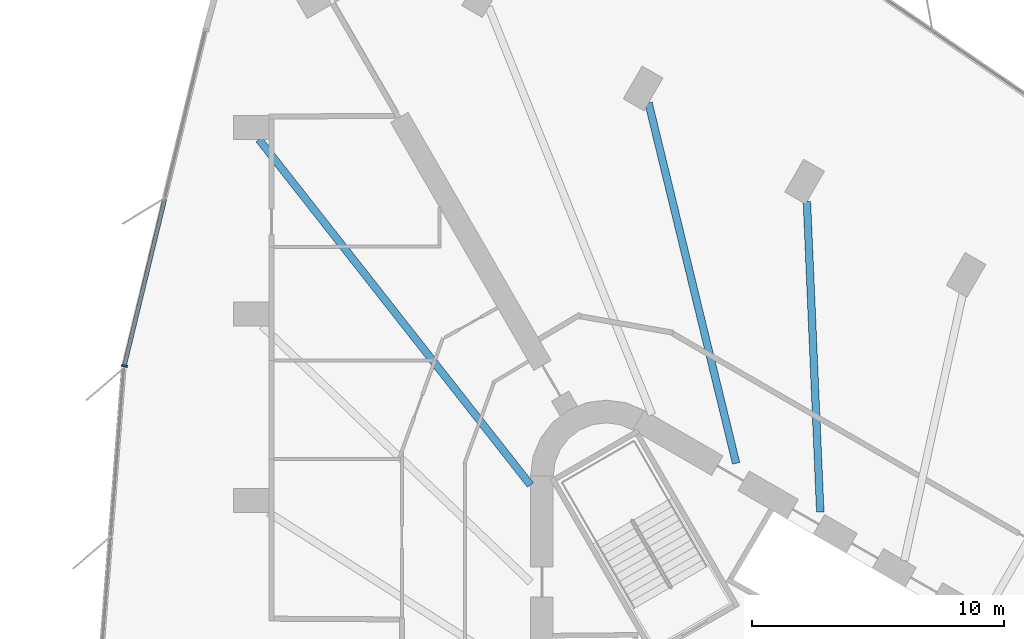
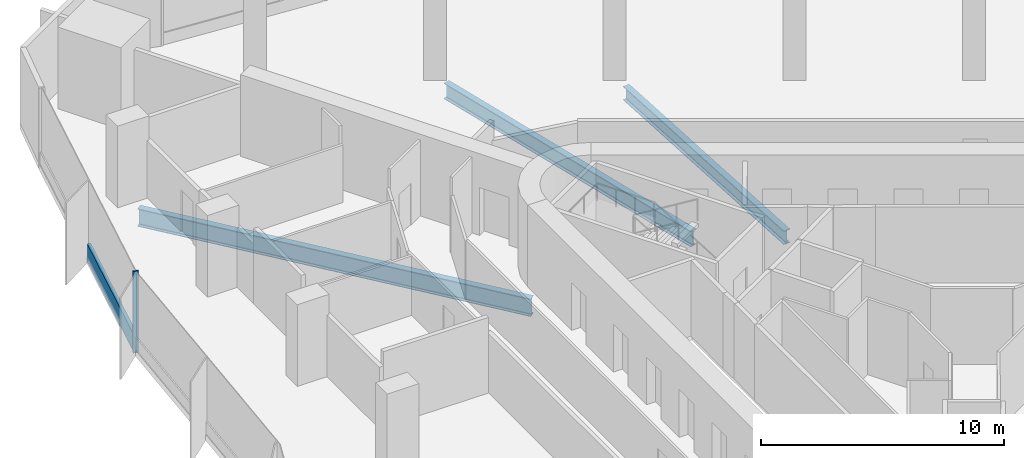
# One storey, part 4 of 14: 3 beams, 2 members, 1 element without a shape of its own.
"""IFC4 building model written with IfcOpenShell, lengths in metres."""

from ifc_helpers import new_model, si_unit, direction, frame, origin, origin_2d, place, context, subcontext, project, spatial, rectangle, i_section, extrude, material, material_profile, profile_set, type_object, element, aggregate, save


model = new_model("IFC4")

# Units and contexts
model_context = context("Model", 3, precision=1e-05, world=origin(), true_north=direction((0.0, 1.0)))
body_context = subcontext(model_context, "Body", "Model", "MODEL_VIEW")
ifc_project = project(units=[si_unit("LENGTHUNIT", "METRE"), si_unit("AREAUNIT", "SQUARE_METRE"), si_unit("VOLUMEUNIT", "CUBIC_METRE"), si_unit("PLANEANGLEUNIT", "RADIAN"), si_unit("MASSUNIT", "GRAM", prefix="KILO")], contexts=[model_context])

# Site, building, storey
site_placement = place(None, origin())
site = spatial("IfcSite", under=ifc_project, at=site_placement, CompositionType="ELEMENT")
building_placement = place(site_placement, origin())
building = spatial("IfcBuilding", under=site, at=building_placement, Name="Tanit Gate Tower", CompositionType="ELEMENT")
storey_placement = place(building_placement, frame((0.0, 0.0, 82.39990234375)))
storey = spatial("IfcBuildingStorey", under=building, at=storey_placement, Name="L16", CompositionType="ELEMENT", Elevation=82.39990234375)

# Curtain wall, member
ifc_material_1 = material(Name="Aluminium bronze anodised and glass", Category="aluminium")
curtain_wall_type = type_object("IfcCurtainWallType", Name="Curtain wall typical low", PredefinedType="NOTDEFINED", material=ifc_material_1)
curtain_wall_placement = place(storey_placement, origin())
curtain_wall = element("IfcCurtainWall", 1, at=curtain_wall_placement, inside=storey, type_object=curtain_wall_type, Name="Curtain wall L16 W1", PredefinedType="NOTDEFINED")
ifc_material_2 = material(Name="Aluminium bronze anodised", Category="aluminium")
ifc_material_profile_1 = material_profile(ifc_material_2, rectangle(XDim=0.239990234375, YDim=0.080078125, at=origin_2d()), Name="80x240 bronze mullion")
ifc_profile_set_1 = profile_set([ifc_material_profile_1], Name="Aluminium bronze anodised")
member_type_1 = type_object("IfcMemberType", Name="Mullion 80x240 typical low", PredefinedType="MULLION", material=ifc_profile_set_1)
member_1_placement = place(storey_placement, frame((-28.197265625, 20.120361328125, -0.2998046875), z_axis=(0.0, 0.0, 1.0), x_axis=(0.971845678209, -0.235618288228, 0.0)))
member_1 = element("IfcMember", 2, at=member_1_placement, type_object=member_type_1, Name="Mullion L16 W1.3", PredefinedType="MULLION", context=body_context, shape_type="SweptSolid", body=[
    extrude(rectangle(XDim=0.239990234375, YDim=0.080078125, at=origin_2d()), origin(), (0.0, 0.0, 1.0), 4.099853515625),
])

# Beams
ifc_material_3 = material(Name="Steel S355", Category="steel")
ifc_material_profile_2 = material_profile(ifc_material_3, i_section(OverallWidth=0.300048828125, OverallDepth=0.68994140625, WebThickness=0.014404296875, FlangeThickness=0.027099609375, FilletRadius=0.027099609375, at=origin_2d()), Name="HEA 700")
ifc_profile_set_2 = profile_set([ifc_material_profile_2], Name="Steel S355")
beam_type_1 = type_object("IfcBeamType", Name="RADIAL GIRDER HEA 700 S355", PredefinedType="BEAM", material=ifc_profile_set_2)
beam_1_placement = place(storey_placement, frame((-1.146484375, 26.6298828125, -0.64501953125), z_axis=(0.043013806202, -0.999074477942, 0.0), x_axis=(0.999074477942, 0.043013806202, 0.0)))
element("IfcBeam", 3, at=beam_1_placement, inside=storey, type_object=beam_type_1, Name="RADIAL GIRDER", PredefinedType="BEAM", context=body_context, shape_type="SweptSolid", body=[
    extrude(i_section(OverallWidth=0.300048828125, OverallDepth=0.68994140625, WebThickness=0.014404296875, FlangeThickness=0.027099609375, FilletRadius=0.027099609375, at=origin_2d()), origin(), (0.0, 0.0, 1.0), 12.31103515625),
])
ifc_material_4 = material(Name="Steel S355", Category="steel")
ifc_material_profile_3 = material_profile(ifc_material_4, i_section(OverallWidth=0.300048828125, OverallDepth=0.7900390625, WebThickness=0.014892578125, FlangeThickness=0.028076171875, FilletRadius=0.030029296875, at=origin_2d()), Name="HEA 800")
ifc_profile_set_3 = profile_set([ifc_material_profile_3], Name="Steel S355")
beam_type_2 = type_object("IfcBeamType", Name="RADIAL GIRDER HEA 800 S355", PredefinedType="BEAM", material=ifc_profile_set_3)
beam_2_placement = place(storey_placement, frame((-7.423095703125, 30.541259765625, -0.69482421875), z_axis=(0.236169367987, -0.971711906701, 0.0), x_axis=(0.971711906701, 0.236169367987, 0.0)))
element("IfcBeam", 4, at=beam_2_placement, inside=storey, type_object=beam_type_2, Name="RADIAL GIRDER", PredefinedType="BEAM", context=body_context, shape_type="SweptSolid", body=[
    extrude(i_section(OverallWidth=0.300048828125, OverallDepth=0.7900390625, WebThickness=0.014892578125, FlangeThickness=0.028076171875, FilletRadius=0.030029296875, at=origin_2d()), origin(), (0.0, 0.0, 1.0), 14.701904296875),
])
ifc_material_5 = material(Name="Steel S355", Category="steel")
ifc_material_profile_4 = material_profile(ifc_material_5, i_section(OverallWidth=0.300048828125, OverallDepth=0.889892578125, WebThickness=0.01611328125, FlangeThickness=0.030029296875, FilletRadius=0.030029296875, at=origin_2d()), Name="HEA 900")
ifc_profile_set_4 = profile_set([ifc_material_profile_4], Name="Steel S355")
beam_type_3 = type_object("IfcBeamType", Name="RADIAL GIRDER HEA 900 S355", PredefinedType="BEAM", material=ifc_profile_set_4)
beam_3_placement = place(storey_placement, frame((-22.8623046875, 29.0908203125, -0.744873046875), z_axis=(0.617904516847, -0.786253145024, 0.0), x_axis=(0.786253145024, 0.617904516847, 0.0)))
element("IfcBeam", 5, at=beam_3_placement, inside=storey, type_object=beam_type_3, Name="RADIAL GIRDER", PredefinedType="BEAM", context=body_context, shape_type="SweptSolid", body=[
    extrude(i_section(OverallWidth=0.300048828125, OverallDepth=0.889892578125, WebThickness=0.01611328125, FlangeThickness=0.030029296875, FilletRadius=0.030029296875, at=origin_2d()), origin(), (0.0, 0.0, 1.0), 17.4140625),
])

# Member
ifc_material_6 = material(Name="Aluminium bronze anodised", Category="aluminium")
ifc_material_profile_5 = material_profile(ifc_material_6, rectangle(XDim=0.159912109375, YDim=0.89990234375, at=origin_2d()), Name="160x900 bronze transom")
ifc_profile_set_5 = profile_set([ifc_material_profile_5], Name="Aluminium bronze anodised")
member_type_2 = type_object("IfcMemberType", Name="Transom 160x900 typical low", PredefinedType="USERDEFINED", material=ifc_profile_set_5)
member_2_placement = place(storey_placement, frame((-26.593017578125, 26.7373046875, 0.150146484375), z_axis=(-0.235638221576, -0.971840845269, 0.0), x_axis=(0.971840845269, -0.235638221576, 0.0)))
member_2 = element("IfcMember", 6, at=member_2_placement, type_object=member_type_2, Name="Transom L16 W1.2", ObjectType="TRANSOM", PredefinedType="USERDEFINED", context=body_context, shape_type="SweptSolid", body=[
    extrude(rectangle(XDim=0.159912109375, YDim=0.89990234375, at=origin_2d()), origin(), (0.0, 0.0, 1.0), 6.768798828125),
])

aggregate(curtain_wall, [member_1, member_2])

save(model, "model.ifc")
